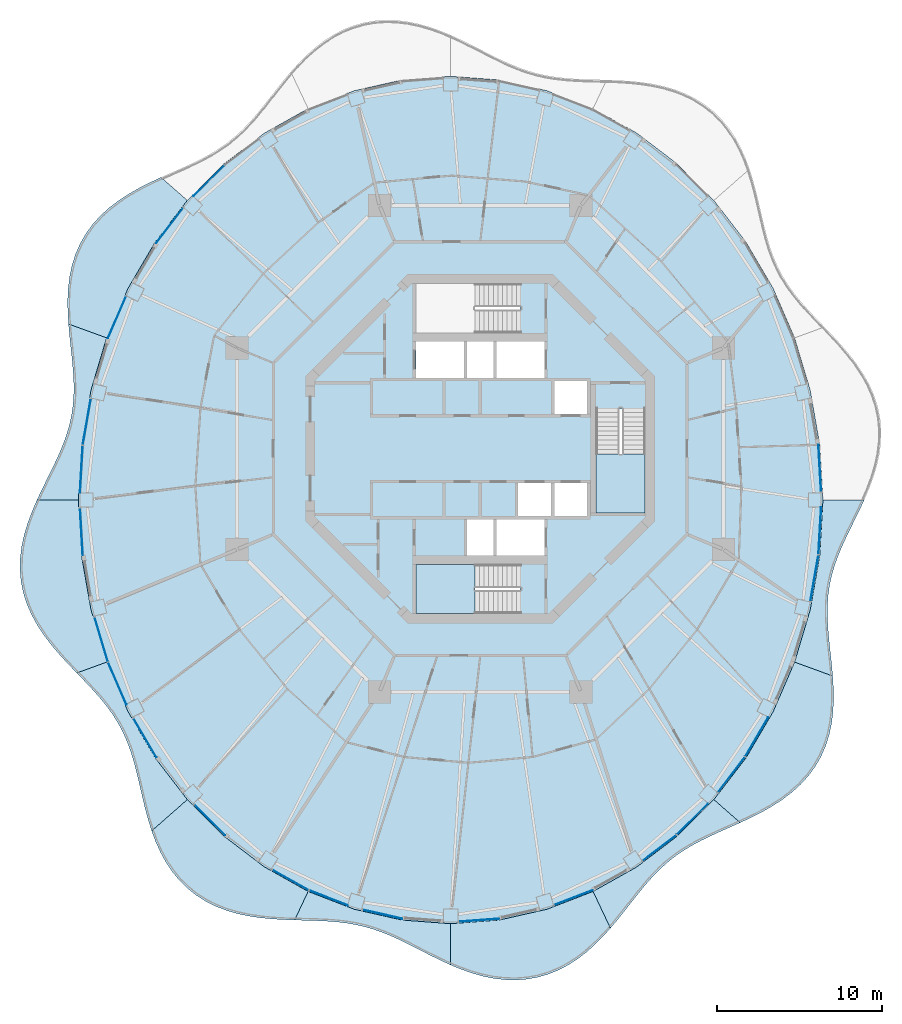
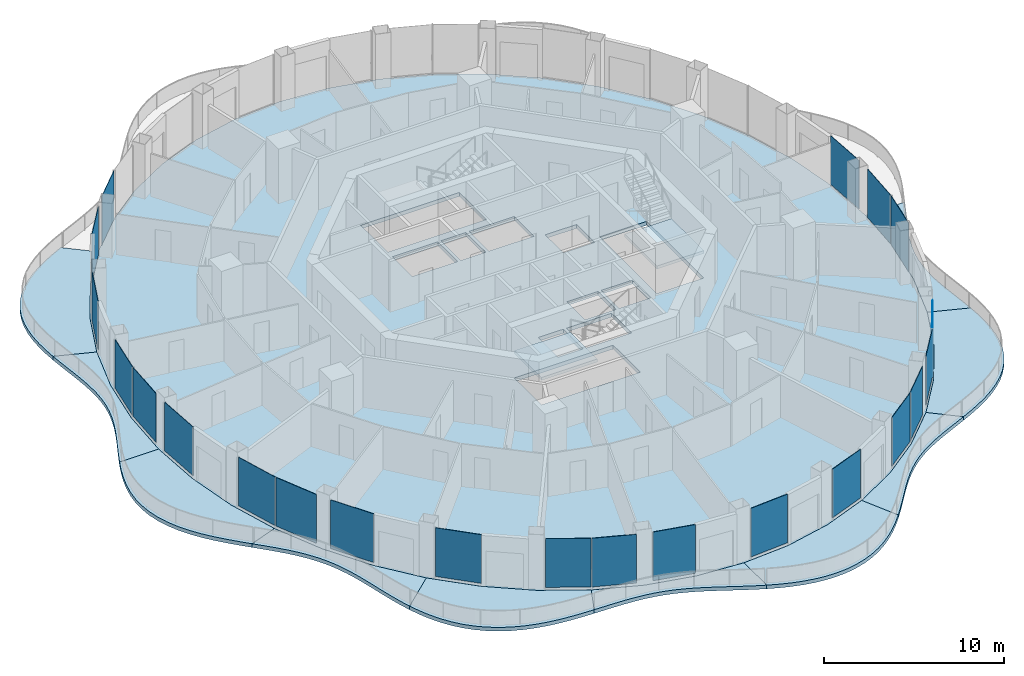
# One storey, part 8 of 17: 22 plates, 13 slabs, 24 elements without a shape of their own.
"""IFC4 building model written with IfcOpenShell, lengths in metres."""

from ifc_helpers import new_model, si_unit, direction, frame, origin, origin_2d, place, context, subcontext, project, spatial, polyline, rectangle, outline, extrude, material, layer, layer_set, type_object, element, aggregate, save


model = new_model("IFC4")

# Units and contexts
model_context = context("Model", 3, precision=1e-05, world=origin(), true_north=direction((0.0, 1.0)))
body_context = subcontext(model_context, "Body", "Model", "MODEL_VIEW")
ifc_project = project(units=[si_unit("LENGTHUNIT", "METRE"), si_unit("AREAUNIT", "SQUARE_METRE"), si_unit("VOLUMEUNIT", "CUBIC_METRE"), si_unit("PLANEANGLEUNIT", "RADIAN"), si_unit("MASSUNIT", "GRAM", prefix="KILO")], contexts=[model_context])

# Site, building, storey
site_placement = place(None, origin())
site = spatial("IfcSite", under=ifc_project, at=site_placement, CompositionType="ELEMENT")
building_placement = place(site_placement, origin())
building = spatial("IfcBuilding", under=site, at=building_placement, Name="Nagisa Residences", CompositionType="ELEMENT")
storey_placement = place(building_placement, frame((0.0, 0.0, 280.699951171875)))
storey = spatial("IfcBuildingStorey", under=building, at=storey_placement, Name="L71", CompositionType="ELEMENT", Elevation=280.699951171875)

# Slabs
ifc_material_1 = material(Name="Concrete C40/50", Category="concrete")
ifc_layer_1 = layer(ifc_material_1, 0.25)
ifc_layer_set_1 = layer_set([ifc_layer_1], Name="BALCONY SLAB 250")
slab_type_1 = type_object("IfcSlabType", Name="BALCONY SLAB 250", PredefinedType="FLOOR", material=ifc_layer_set_1)
slab_1_placement = place(storey_placement, frame((0.0, 0.0, -0.25)))
element("IfcSlab", 1, at=slab_1_placement, inside=storey, type_object=slab_type_1, Name="slab:L71:bal06", PredefinedType="FLOOR", context=body_context, shape_type="SweptSolid", body=[
    extrude(outline(polyline([(-19.388427734375, 16.483642578125), (-20.049560546875, 16.174560546875), (-20.705078125, 15.842041015625), (-21.34423828125, 15.479248046875), (-21.956787109375, 15.080810546875), (-22.532470703125, 14.642578125), (-23.061767578125, 14.162109375), (-23.53662109375, 13.63916015625), (-23.950439453125, 13.07421875), (-24.298828125, 12.47021484375), (-24.57958984375, 11.830810546875), (-24.79296875, 11.1611328125), (-24.941162109375, 10.467041015625), (-25.029541015625, 9.755126953125), (-25.064697265625, 9.031494140625), (-25.0556640625, 8.302978515625), (-25.0126953125, 7.574951171875), (-22.6982421875, 6.732666015625), (-21.389404296875, 9.752197265625), (-19.74560546875, 12.5517578125), (-17.794677734375, 15.083251953125), (-19.388427734375, 16.483642578125)])), origin(), (0.0, 0.0, 1.0), 0.25),
])
slab_2_placement = place(storey_placement, frame((0.0, 0.0, -0.25)))
element("IfcSlab", 2, at=slab_2_placement, inside=storey, type_object=slab_type_1, Name="slab:L71:bal07", PredefinedType="FLOOR", context=body_context, shape_type="SweptSolid", body=[
    extrude(outline(polyline([(-25.0126953125, 7.574951171875), (-24.94482421875, 6.83056640625), (-24.8662109375, 6.096923828125), (-24.7900390625, 5.378173828125), (-24.728515625, 4.676025390625), (-24.69287109375, 3.990966796875), (-24.693115234375, 3.322998046875), (-24.736083984375, 2.669677734375), (-24.82666015625, 2.028564453125), (-24.966796875, 1.39599609375), (-25.15576171875, 0.767578125), (-25.3896484375, 0.1396484375), (-25.66162109375, -0.491943359375), (-25.963134765625, -1.131103515625), (-26.282958984375, -1.78076171875), (-26.608642578125, -2.4423828125), (-26.9267578125, -3.11767578125), (-24.419921875, -3.11767578125), (-24.2265625, 0.241943359375), (-23.649169921875, 3.544189453125), (-22.6982421875, 6.732666015625), (-25.0126953125, 7.574951171875)])), origin(), (0.0, 0.0, 1.0), 0.25),
])
slab_3_placement = place(storey_placement, frame((0.0, 0.0, -0.25)))
element("IfcSlab", 3, at=slab_3_placement, inside=storey, type_object=slab_type_1, Name="slab:L71:bal08", PredefinedType="FLOOR", context=body_context, shape_type="SweptSolid", body=[
    extrude(outline(polyline([(-26.9267578125, -3.11767578125), (-27.2236328125, -3.80615234375), (-27.4853515625, -4.50634765625), (-27.699951171875, -5.21630859375), (-27.856201171875, -5.932373046875), (-27.94482421875, -6.650634765625), (-27.95947265625, -7.36669921875), (-27.896240234375, -8.075927734375), (-27.754150390625, -8.7734375), (-27.53466796875, -9.455078125), (-27.2431640625, -10.11767578125), (-26.886474609375, -10.75830078125), (-26.47412109375, -11.37548828125), (-26.017578125, -11.96923828125), (-25.529296875, -12.54052734375), (-25.0224609375, -13.092041015625), (-24.51025390625, -13.627685546875), (-22.6982421875, -12.968017578125), (-23.649169921875, -9.77978515625), (-24.2265625, -6.4775390625), (-24.419921875, -3.11767578125), (-26.9267578125, -3.11767578125)])), origin(), (0.0, 0.0, 1.0), 0.25),
])
slab_4_placement = place(storey_placement, frame((0.0, 0.0, -0.25)))
element("IfcSlab", 4, at=slab_4_placement, inside=storey, type_object=slab_type_1, Name="slab:L71:bal09", PredefinedType="FLOOR", context=body_context, shape_type="SweptSolid", body=[
    extrude(outline(polyline([(-24.51025390625, -13.627685546875), (-24.020751953125, -14.1357421875), (-23.54833984375, -14.63818359375), (-23.102294921875, -15.140625), (-22.689697265625, -15.64892578125), (-22.315185546875, -16.168212890625), (-21.981689453125, -16.703857421875), (-21.689208984375, -17.26025390625), (-21.43603515625, -17.840087890625), (-21.21728515625, -18.445556640625), (-21.026611328125, -19.076904296875), (-20.856201171875, -19.73291015625), (-20.6962890625, -20.41015625), (-20.537109375, -21.1044921875), (-20.3681640625, -21.8095703125), (-20.1787109375, -22.517822265625), (-19.95947265625, -23.220947265625), (-17.794677734375, -21.318603515625), (-19.74560546875, -18.787109375), (-21.389404296875, -15.98779296875), (-22.6982421875, -12.968017578125), (-24.51025390625, -13.627685546875)])), origin(), (0.0, 0.0, 1.0), 0.25),
])
slab_5_placement = place(storey_placement, frame((0.0, 0.0, -0.25)))
element("IfcSlab", 5, at=slab_5_placement, inside=storey, type_object=slab_type_1, Name="slab:L71:bal10", PredefinedType="FLOOR", context=body_context, shape_type="SweptSolid", body=[
    extrude(outline(polyline([(-19.95947265625, -23.220947265625), (-19.714599609375, -23.877685546875), (-19.4287109375, -24.513671875), (-19.0966796875, -25.1201171875), (-18.7158203125, -25.689697265625), (-18.28466796875, -26.2158203125), (-17.803466796875, -26.692626953125), (-17.274658203125, -27.115478515625), (-16.70166015625, -27.48193359375), (-16.08935546875, -27.791015625), (-15.444091796875, -28.04345703125), (-14.772705078125, -28.2421875), (-14.08251953125, -28.391357421875), (-13.381103515625, -28.49755859375), (-12.67529296875, -28.56787109375), (-11.9716796875, -28.611328125), (-11.27587890625, -28.637451171875), (-10.456298828125, -26.8984375), (-13.110107421875, -25.4091796875), (-15.570068359375, -23.53857421875), (-17.794677734375, -21.318603515625), (-19.95947265625, -23.220947265625)])), origin(), (0.0, 0.0, 1.0), 0.25),
])
slab_6_placement = place(storey_placement, frame((0.0, 0.0, -0.25)))
element("IfcSlab", 6, at=slab_6_placement, inside=storey, type_object=slab_type_1, Name="slab:L71:bal11", PredefinedType="FLOOR", context=body_context, shape_type="SweptSolid", body=[
    extrude(outline(polyline([(-11.27587890625, -28.637451171875), (-10.6171875, -28.65478515625), (-9.97314453125, -28.674072265625), (-9.345458984375, -28.702880859375), (-8.734619140625, -28.749267578125), (-8.139892578125, -28.8193359375), (-7.559814453125, -28.918212890625), (-6.991455078125, -29.049560546875), (-6.431396484375, -29.21484375), (-5.876220703125, -29.413818359375), (-5.321044921875, -29.644775390625), (-4.762451171875, -29.903076171875), (-4.196044921875, -30.18359375), (-3.61865234375, -30.478759765625), (-3.02783203125, -30.7802734375), (-2.421875, -31.078857421875), (-1.800048828125, -31.364501953125), (-1.800048828125, -28.857666015625), (-4.75244140625, -28.637451171875), (-7.654541015625, -27.980712890625), (-10.456298828125, -26.8984375), (-11.27587890625, -28.637451171875)])), origin(), (0.0, 0.0, 1.0), 0.25),
])
slab_7_placement = place(storey_placement, frame((0.0, 0.0, -0.25)))
element("IfcSlab", 7, at=slab_7_placement, inside=storey, type_object=slab_type_1, Name="slab:L71:bal12", PredefinedType="FLOOR", context=body_context, shape_type="SweptSolid", body=[
    extrude(outline(polyline([(-1.800048828125, -31.364501953125), (-1.16259765625, -31.626953125), (-0.511474609375, -31.856689453125), (0.151123046875, -32.044189453125), (0.821533203125, -32.18115234375), (1.495361328125, -32.260986328125), (2.16845703125, -32.278076171875), (2.835205078125, -32.228759765625), (3.49072265625, -32.111572265625), (4.13037109375, -31.927001953125), (4.74951171875, -31.6767578125), (5.3447265625, -31.365478515625), (5.91357421875, -30.998291015625), (6.4541015625, -30.5830078125), (6.966064453125, -30.127197265625), (7.4501953125, -29.640380859375), (7.9091796875, -29.1318359375), (6.856201171875, -26.8984375), (4.054443359375, -27.980712890625), (1.152587890625, -28.637451171875), (-1.800048828125, -28.857666015625), (-1.800048828125, -31.364501953125)])), origin(), (0.0, 0.0, 1.0), 0.25),
])
slab_8_placement = place(storey_placement, frame((0.0, 0.0, -0.25)))
element("IfcSlab", 8, at=slab_8_placement, inside=storey, type_object=slab_type_1, Name="slab:L71:bal13", PredefinedType="FLOOR", context=body_context, shape_type="SweptSolid", body=[
    extrude(outline(polyline([(7.9091796875, -29.1318359375), (8.361572265625, -28.591552734375), (8.794677734375, -28.04833984375), (9.21435546875, -27.51171875), (9.626708984375, -26.990234375), (10.03857421875, -26.49072265625), (10.456298828125, -26.018798828125), (10.88623046875, -25.57763671875), (11.333984375, -25.169189453125), (11.803955078125, -24.79296875), (12.299560546875, -24.44677734375), (12.822265625, -24.12744140625), (13.372314453125, -23.82958984375), (13.947998046875, -23.546875), (14.546142578125, -23.272705078125), (15.16162109375, -22.999267578125), (15.788330078125, -22.718994140625), (14.19482421875, -21.318603515625), (11.97021484375, -23.53857421875), (9.510009765625, -25.4091796875), (6.856201171875, -26.8984375), (7.9091796875, -29.1318359375)])), origin(), (0.0, 0.0, 1.0), 0.25),
])
slab_9_placement = place(storey_placement, frame((0.0, 0.0, -0.25)))
element("IfcSlab", 9, at=slab_9_placement, inside=storey, type_object=slab_type_1, Name="slab:L71:bal14", PredefinedType="FLOOR", context=body_context, shape_type="SweptSolid", body=[
    extrude(outline(polyline([(15.788330078125, -22.718994140625), (16.44970703125, -22.409912109375), (17.10498046875, -22.077392578125), (17.744140625, -21.714599609375), (18.356689453125, -21.316162109375), (18.932373046875, -20.8779296875), (19.461669921875, -20.397705078125), (19.9365234375, -19.87451171875), (20.350341796875, -19.3095703125), (20.69873046875, -18.70556640625), (20.979736328125, -18.066162109375), (21.19287109375, -17.396484375), (21.34130859375, -16.70263671875), (21.429443359375, -15.990478515625), (21.464599609375, -15.266845703125), (21.45556640625, -14.538330078125), (21.41259765625, -13.810546875), (19.09814453125, -12.968017578125), (17.78955078125, -15.98779296875), (16.145751953125, -18.787109375), (14.19482421875, -21.318603515625), (15.788330078125, -22.718994140625)])), origin(), (0.0, 0.0, 1.0), 0.25),
])
slab_10_placement = place(storey_placement, frame((0.0, 0.0, -0.25)))
element("IfcSlab", 10, at=slab_10_placement, inside=storey, type_object=slab_type_1, Name="slab:L71:bal15", PredefinedType="FLOOR", context=body_context, shape_type="SweptSolid", body=[
    extrude(outline(polyline([(21.41259765625, -13.810546875), (21.344970703125, -13.06591796875), (21.266357421875, -12.332275390625), (21.18994140625, -11.613525390625), (21.12841796875, -10.911376953125), (21.093017578125, -10.2265625), (21.093017578125, -9.558349609375), (21.135986328125, -8.905029296875), (21.2265625, -8.263916015625), (21.366943359375, -7.63134765625), (21.555908203125, -7.003173828125), (21.78955078125, -6.375244140625), (22.061767578125, -5.743408203125), (22.36328125, -5.104248046875), (22.68310546875, -4.454833984375), (23.0087890625, -3.79296875), (23.326904296875, -3.11767578125), (20.820068359375, -3.11767578125), (20.62646484375, -6.4775390625), (20.04931640625, -9.77978515625), (19.09814453125, -12.968017578125), (21.41259765625, -13.810546875)])), origin(), (0.0, 0.0, 1.0), 0.25),
])

# Curtain wall, plate
ifc_material_2 = material(Name="Concrete-coloured aluminium curtain wall system", Category="concrete")
ifc_layer_2 = layer(ifc_material_2, 0.159912109375)
ifc_layer_set_2 = layer_set([ifc_layer_2], Name="CW1 CURTAIN WALL")
curtain_wall_type = type_object("IfcCurtainWallType", Name="CW1 CURTAIN WALL", PredefinedType="NOTDEFINED", material=ifc_layer_set_2)
curtain_wall_1_placement = place(storey_placement, origin())
curtain_wall_1 = element("IfcCurtainWall", 11, at=curtain_wall_1_placement, inside=storey, type_object=curtain_wall_type, Name="cw:CW1:L71:00", PredefinedType="NOTDEFINED")
ifc_material_3 = material(Name="Clear laminated glass", Category="glass")
ifc_layer_3 = layer(ifc_material_3, 0.028076171875)
ifc_layer_set_3 = layer_set([ifc_layer_3], Name="CW1 GLASS PANEL")
plate_type = type_object("IfcPlateType", Name="CW1 GLASS PANEL", PredefinedType="CURTAIN_PANEL", material=ifc_layer_set_3)
plate_1_placement = place(storey_placement, frame((20.628662109375, -1.187744140625, 0.150146484375), z_axis=(0.0, 0.0, 1.0), x_axis=(-0.057503492216, 0.998345305184, 0.0)))
plate_1 = element("IfcPlate", 12, at=plate_1_placement, type_object=plate_type, Name="CW1 panel", PredefinedType="CURTAIN_PANEL", context=body_context, shape_type="SweptSolid", body=[
    extrude(rectangle(XDim=2.855224609375, YDim=0.028076171875, at=origin_2d()), origin(), (0.0, 0.0, 1.0), 3.2900390625),
])
aggregate(curtain_wall_1, [plate_1])

curtain_wall_2_placement = place(storey_placement, origin())
curtain_wall_2 = element("IfcCurtainWall", 13, at=curtain_wall_2_placement, inside=storey, type_object=curtain_wall_type, Name="cw:CW1:L71:17", PredefinedType="NOTDEFINED")
plate_2_placement = place(storey_placement, frame((-16.488037109375, 16.2744140625, 0.150146484375), z_axis=(0.0, 0.0, 1.0), x_axis=(-0.707835924016, -0.706376885714, 0.0)))
plate_2 = element("IfcPlate", 14, at=plate_2_placement, type_object=plate_type, Name="CW1 panel", PredefinedType="CURTAIN_PANEL", context=body_context, shape_type="SweptSolid", body=[
    extrude(rectangle(XDim=2.6328125, YDim=0.028076171875, at=origin_2d()), origin(), (0.0, 0.0, 1.0), 3.2900390625),
])
aggregate(curtain_wall_2, [plate_2])

curtain_wall_3_placement = place(storey_placement, origin())
curtain_wall_3 = element("IfcCurtainWall", 15, at=curtain_wall_3_placement, inside=storey, type_object=curtain_wall_type, Name="cw:CW1:L71:18", PredefinedType="NOTDEFINED")
plate_3_placement = place(storey_placement, frame((-18.862548828125, 13.566650390625, 0.150146484375), z_axis=(0.0, 0.0, 1.0), x_axis=(-0.610429828235, -0.792070340816, 0.0)))
plate_3 = element("IfcPlate", 16, at=plate_3_placement, type_object=plate_type, Name="CW1 panel", PredefinedType="CURTAIN_PANEL", context=body_context, shape_type="SweptSolid", body=[
    extrude(rectangle(XDim=2.68603515625, YDim=0.028076171875, at=origin_2d()), origin(), (0.0, 0.0, 1.0), 3.2900390625),
])
aggregate(curtain_wall_3, [plate_3])

curtain_wall_4_placement = place(storey_placement, origin())
curtain_wall_4 = element("IfcCurtainWall", 17, at=curtain_wall_4_placement, inside=storey, type_object=curtain_wall_type, Name="cw:CW1:L71:20", PredefinedType="NOTDEFINED")
plate_4_placement = place(storey_placement, frame((-22.07177734375, 7.9765625, 0.150146484375), z_axis=(0.0, 0.0, 1.0), x_axis=(-0.397635934147, -0.917543276295, 0.0)))
plate_4 = element("IfcPlate", 18, at=plate_4_placement, type_object=plate_type, Name="CW1 panel", PredefinedType="CURTAIN_PANEL", context=body_context, shape_type="SweptSolid", body=[
    extrude(rectangle(XDim=2.781005859375, YDim=0.028076171875, at=origin_2d()), origin(), (0.0, 0.0, 1.0), 3.2900390625),
])
aggregate(curtain_wall_4, [plate_4])

curtain_wall_5_placement = place(storey_placement, origin())
curtain_wall_5 = element("IfcCurtainWall", 19, at=curtain_wall_5_placement, inside=storey, type_object=curtain_wall_type, Name="cw:CW1:L71:22", PredefinedType="NOTDEFINED")
plate_5_placement = place(storey_placement, frame((-23.903076171875, 1.628173828125, 0.150146484375), z_axis=(0.0, 0.0, 1.0), x_axis=(-0.172190868898, -0.985063604377, 0.0)))
plate_5 = element("IfcPlate", 20, at=plate_5_placement, type_object=plate_type, Name="CW1 panel", PredefinedType="CURTAIN_PANEL", context=body_context, shape_type="SweptSolid", body=[
    extrude(rectangle(XDim=2.84228515625, YDim=0.028076171875, at=origin_2d()), origin(), (0.0, 0.0, 1.0), 3.2900390625),
])
aggregate(curtain_wall_5, [plate_5])

curtain_wall_6_placement = place(storey_placement, origin())
curtain_wall_6 = element("IfcCurtainWall", 21, at=curtain_wall_6_placement, inside=storey, type_object=curtain_wall_type, Name="cw:CW1:L71:23", PredefinedType="NOTDEFINED")
plate_6_placement = place(storey_placement, frame((-24.232177734375, -1.247802734375, 0.150146484375), z_axis=(0.0, 0.0, 1.0), x_axis=(-0.057503492216, -0.998345305184, 0.0)))
plate_6 = element("IfcPlate", 22, at=plate_6_placement, type_object=plate_type, Name="CW1 panel", PredefinedType="CURTAIN_PANEL", context=body_context, shape_type="SweptSolid", body=[
    extrude(rectangle(XDim=2.855224609375, YDim=0.028076171875, at=origin_2d()), origin(), (0.0, 0.0, 1.0), 3.2900390625),
])
aggregate(curtain_wall_6, [plate_6])

curtain_wall_7_placement = place(storey_placement, origin())
curtain_wall_7 = element("IfcCurtainWall", 23, at=curtain_wall_7_placement, inside=storey, type_object=curtain_wall_type, Name="cw:CW1:L71:24", PredefinedType="NOTDEFINED")
plate_7_placement = place(storey_placement, frame((-24.228759765625, -5.047607421875, 0.150146484375), z_axis=(0.0, 0.0, 1.0), x_axis=(0.057503492216, -0.998345305184, 0.0)))
plate_7 = element("IfcPlate", 24, at=plate_7_placement, type_object=plate_type, Name="CW1 panel", PredefinedType="CURTAIN_PANEL", context=body_context, shape_type="SweptSolid", body=[
    extrude(rectangle(XDim=2.855224609375, YDim=0.028076171875, at=origin_2d()), origin(), (0.0, 0.0, 1.0), 3.2900390625),
])
aggregate(curtain_wall_7, [plate_7])

curtain_wall_8_placement = place(storey_placement, origin())
curtain_wall_8 = element("IfcCurtainWall", 25, at=curtain_wall_8_placement, inside=storey, type_object=curtain_wall_type, Name="cw:CW1:L71:26", PredefinedType="NOTDEFINED")
plate_8_placement = place(storey_placement, frame((-23.024169921875, -11.59521484375, 0.150146484375), z_axis=(0.0, 0.0, 1.0), x_axis=(0.285860274038, -0.958271310082, 0.0)))
plate_8 = element("IfcPlate", 26, at=plate_8_placement, type_object=plate_type, Name="CW1 panel", PredefinedType="CURTAIN_PANEL", context=body_context, shape_type="SweptSolid", body=[
    extrude(rectangle(XDim=2.817138671875, YDim=0.028076171875, at=origin_2d()), origin(), (0.0, 0.0, 1.0), 3.2900390625),
])
aggregate(curtain_wall_8, [plate_8])

curtain_wall_9_placement = place(storey_placement, origin())
curtain_wall_9 = element("IfcCurtainWall", 27, at=curtain_wall_9_placement, inside=storey, type_object=curtain_wall_type, Name="cw:CW1:L71:27", PredefinedType="NOTDEFINED")
plate_9_placement = place(storey_placement, frame((-22.0478515625, -14.26708984375, 0.150146484375), z_axis=(0.0, 0.0, 1.0), x_axis=(0.397635934147, -0.917543276295, 0.0)))
plate_9 = element("IfcPlate", 28, at=plate_9_placement, type_object=plate_type, Name="CW1 panel", PredefinedType="CURTAIN_PANEL", context=body_context, shape_type="SweptSolid", body=[
    extrude(rectangle(XDim=2.781005859375, YDim=0.028076171875, at=origin_2d()), origin(), (0.0, 0.0, 1.0), 3.2900390625),
])
aggregate(curtain_wall_9, [plate_9])

curtain_wall_10_placement = place(storey_placement, origin())
curtain_wall_10 = element("IfcCurtainWall", 29, at=curtain_wall_10_placement, inside=storey, type_object=curtain_wall_type, Name="cw:CW1:L71:28", PredefinedType="NOTDEFINED")
plate_10_placement = place(storey_placement, frame((-20.369384765625, -17.56689453125, 0.150146484375), z_axis=(0.0, 0.0, 1.0), x_axis=(0.506348567002, -0.862328898214, 0.0)))
plate_10 = element("IfcPlate", 30, at=plate_10_placement, type_object=plate_type, Name="CW1 panel", PredefinedType="CURTAIN_PANEL", context=body_context, shape_type="SweptSolid", body=[
    extrude(rectangle(XDim=2.736572265625, YDim=0.028076171875, at=origin_2d()), origin(), (0.0, 0.0, 1.0), 3.2900390625),
])
aggregate(curtain_wall_10, [plate_10])

curtain_wall_11_placement = place(storey_placement, origin())
curtain_wall_11 = element("IfcCurtainWall", 31, at=curtain_wall_11_placement, inside=storey, type_object=curtain_wall_type, Name="cw:CW1:L71:30", PredefinedType="NOTDEFINED")
plate_11_placement = place(storey_placement, frame((-16.445556640625, -22.552001953125, 0.150146484375), z_axis=(0.0, 0.0, 1.0), x_axis=(0.707835924016, -0.706376885714, 0.0)))
plate_11 = element("IfcPlate", 32, at=plate_11_placement, type_object=plate_type, Name="CW1 panel", PredefinedType="CURTAIN_PANEL", context=body_context, shape_type="SweptSolid", body=[
    extrude(rectangle(XDim=2.6328125, YDim=0.028076171875, at=origin_2d()), origin(), (0.0, 0.0, 1.0), 3.2900390625),
])
aggregate(curtain_wall_11, [plate_11])

curtain_wall_12_placement = place(storey_placement, origin())
curtain_wall_12 = element("IfcCurtainWall", 33, at=curtain_wall_12_placement, inside=storey, type_object=curtain_wall_type, Name="cw:CW1:L71:32", PredefinedType="NOTDEFINED")
plate_12_placement = place(storey_placement, frame((-11.521728515625, -26.208740234375, 0.150146484375), z_axis=(0.0, 0.0, 1.0), x_axis=(0.872072377523, -0.489376918501, 0.0)))
plate_12 = element("IfcPlate", 34, at=plate_12_placement, type_object=plate_type, Name="CW1 panel", PredefinedType="CURTAIN_PANEL", context=body_context, shape_type="SweptSolid", body=[
    extrude(rectangle(XDim=2.532958984375, YDim=0.028076171875, at=origin_2d()), origin(), (0.0, 0.0, 1.0), 3.2900390625),
])
aggregate(curtain_wall_12, [plate_12])

curtain_wall_13_placement = place(storey_placement, origin())
curtain_wall_13 = element("IfcCurtainWall", 35, at=curtain_wall_13_placement, inside=storey, type_object=curtain_wall_type, Name="cw:CW1:L71:33", PredefinedType="NOTDEFINED")
plate_13_placement = place(storey_placement, frame((-9.20849609375, -27.294677734375, 0.150146484375), z_axis=(0.0, 0.0, 1.0), x_axis=(0.932825759707, -0.360327770268, 0.0)))
plate_13 = element("IfcPlate", 36, at=plate_13_placement, type_object=plate_type, Name="CW1 panel", PredefinedType="CURTAIN_PANEL", context=body_context, shape_type="SweptSolid", body=[
    extrude(rectangle(XDim=2.49365234375, YDim=0.028076171875, at=origin_2d()), origin(), (0.0, 0.0, 1.0), 3.2900390625),
])
aggregate(curtain_wall_13, [plate_13])

curtain_wall_14_placement = place(storey_placement, origin())
curtain_wall_14 = element("IfcCurtainWall", 37, at=curtain_wall_14_placement, inside=storey, type_object=curtain_wall_type, Name="cw:CW1:L71:34", PredefinedType="NOTDEFINED")
plate_14_placement = place(storey_placement, frame((-5.93701171875, -28.287353515625, 0.150146484375), z_axis=(0.0, 0.0, 1.0), x_axis=(0.975327274089, -0.2207639201, 0.0)))
plate_14 = element("IfcPlate", 38, at=plate_14_placement, type_object=plate_type, Name="CW1 panel", PredefinedType="CURTAIN_PANEL", context=body_context, shape_type="SweptSolid", body=[
    extrude(rectangle(XDim=2.46533203125, YDim=0.028076171875, at=origin_2d()), origin(), (0.0, 0.0, 1.0), 3.2900390625),
])
aggregate(curtain_wall_14, [plate_14])

curtain_wall_15_placement = place(storey_placement, origin())
curtain_wall_15 = element("IfcCurtainWall", 39, at=curtain_wall_15_placement, inside=storey, type_object=curtain_wall_type, Name="cw:CW1:L71:36", PredefinedType="NOTDEFINED")
plate_15_placement = place(storey_placement, frame((-0.075439453125, -28.64892578125, 0.150146484375), z_axis=(0.0, 0.0, 1.0), x_axis=(0.997230168512, 0.074377355493, 0.0)))
plate_15 = element("IfcPlate", 40, at=plate_15_placement, type_object=plate_type, Name="CW1 panel", PredefinedType="CURTAIN_PANEL", context=body_context, shape_type="SweptSolid", body=[
    extrude(rectangle(XDim=2.45068359375, YDim=0.028076171875, at=origin_2d()), origin(), (0.0, 0.0, 1.0), 3.2900390625),
])
aggregate(curtain_wall_15, [plate_15])

curtain_wall_16_placement = place(storey_placement, origin())
curtain_wall_16 = element("IfcCurtainWall", 41, at=curtain_wall_16_placement, inside=storey, type_object=curtain_wall_type, Name="cw:CW1:L71:38", PredefinedType="NOTDEFINED")
plate_16_placement = place(storey_placement, frame((5.66455078125, -27.27294921875, 0.150146484375), z_axis=(0.0, 0.0, 1.0), x_axis=(0.932825759707, 0.360327770268, 0.0)))
plate_16 = element("IfcPlate", 42, at=plate_16_placement, type_object=plate_type, Name="CW1 panel", PredefinedType="CURTAIN_PANEL", context=body_context, shape_type="SweptSolid", body=[
    extrude(rectangle(XDim=2.49365234375, YDim=0.028076171875, at=origin_2d()), origin(), (0.0, 0.0, 1.0), 3.2900390625),
])
aggregate(curtain_wall_16, [plate_16])

curtain_wall_17_placement = place(storey_placement, origin())
curtain_wall_17 = element("IfcCurtainWall", 43, at=curtain_wall_17_placement, inside=storey, type_object=curtain_wall_type, Name="cw:CW1:L71:40", PredefinedType="NOTDEFINED")
plate_17_placement = place(storey_placement, frame((10.894775390625, -24.255859375, 0.150146484375), z_axis=(0.0, 0.0, 1.0), x_axis=(0.79603132756, 0.605255421737, 0.0)))
plate_17 = element("IfcPlate", 44, at=plate_17_placement, type_object=plate_type, Name="CW1 panel", PredefinedType="CURTAIN_PANEL", context=body_context, shape_type="SweptSolid", body=[
    extrude(rectangle(XDim=2.58056640625, YDim=0.028076171875, at=origin_2d()), origin(), (0.0, 0.0, 1.0), 3.2900390625),
])
aggregate(curtain_wall_17, [plate_17])

curtain_wall_18_placement = place(storey_placement, origin())
curtain_wall_18 = element("IfcCurtainWall", 45, at=curtain_wall_18_placement, inside=storey, type_object=curtain_wall_type, Name="cw:CW1:L71:41", PredefinedType="NOTDEFINED")
plate_18_placement = place(storey_placement, frame((12.887939453125, -22.509765625, 0.150146484375), z_axis=(0.0, 0.0, 1.0), x_axis=(0.707835924016, 0.706376885714, 0.0)))
plate_18 = element("IfcPlate", 46, at=plate_18_placement, type_object=plate_type, Name="CW1 panel", PredefinedType="CURTAIN_PANEL", context=body_context, shape_type="SweptSolid", body=[
    extrude(rectangle(XDim=2.6328125, YDim=0.028076171875, at=origin_2d()), origin(), (0.0, 0.0, 1.0), 3.2900390625),
])
aggregate(curtain_wall_18, [plate_18])

curtain_wall_19_placement = place(storey_placement, origin())
curtain_wall_19 = element("IfcCurtainWall", 47, at=curtain_wall_19_placement, inside=storey, type_object=curtain_wall_type, Name="cw:CW1:L71:42", PredefinedType="NOTDEFINED")
plate_19_placement = place(storey_placement, frame((15.262451171875, -19.802001953125, 0.150146484375), z_axis=(0.0, 0.0, 1.0), x_axis=(0.610429828235, 0.792070340816, 0.0)))
plate_19 = element("IfcPlate", 48, at=plate_19_placement, type_object=plate_type, Name="CW1 panel", PredefinedType="CURTAIN_PANEL", context=body_context, shape_type="SweptSolid", body=[
    extrude(rectangle(XDim=2.68603515625, YDim=0.028076171875, at=origin_2d()), origin(), (0.0, 0.0, 1.0), 3.2900390625),
])
aggregate(curtain_wall_19, [plate_19])

curtain_wall_20_placement = place(storey_placement, origin())
curtain_wall_20 = element("IfcCurtainWall", 49, at=curtain_wall_20_placement, inside=storey, type_object=curtain_wall_type, Name="cw:CW1:L71:43", PredefinedType="NOTDEFINED")
plate_20_placement = place(storey_placement, frame((16.7998046875, -17.51513671875, 0.150146484375), z_axis=(0.0, 0.0, 1.0), x_axis=(0.506348567002, 0.862328898214, 0.0)))
plate_20 = element("IfcPlate", 50, at=plate_20_placement, type_object=plate_type, Name="CW1 panel", PredefinedType="CURTAIN_PANEL", context=body_context, shape_type="SweptSolid", body=[
    extrude(rectangle(XDim=2.736572265625, YDim=0.028076171875, at=origin_2d()), origin(), (0.0, 0.0, 1.0), 3.2900390625),
])
aggregate(curtain_wall_20, [plate_20])

curtain_wall_21_placement = place(storey_placement, origin())
curtain_wall_21 = element("IfcCurtainWall", 51, at=curtain_wall_21_placement, inside=storey, type_object=curtain_wall_type, Name="cw:CW1:L71:46", PredefinedType="NOTDEFINED")
plate_21_placement = place(storey_placement, frame((20.302978515625, -7.863525390625, 0.150146484375), z_axis=(0.0, 0.0, 1.0), x_axis=(0.172190868898, 0.985063604377, 0.0)))
plate_21 = element("IfcPlate", 52, at=plate_21_placement, type_object=plate_type, Name="CW1 panel", PredefinedType="CURTAIN_PANEL", context=body_context, shape_type="SweptSolid", body=[
    extrude(rectangle(XDim=2.84228515625, YDim=0.028076171875, at=origin_2d()), origin(), (0.0, 0.0, 1.0), 3.2900390625),
])
aggregate(curtain_wall_21, [plate_21])

curtain_wall_22_placement = place(storey_placement, origin())
curtain_wall_22 = element("IfcCurtainWall", 53, at=curtain_wall_22_placement, inside=storey, type_object=curtain_wall_type, Name="cw:CW1:L71:47", PredefinedType="NOTDEFINED")
plate_22_placement = place(storey_placement, frame((20.632080078125, -4.987548828125, 0.150146484375), z_axis=(0.0, 0.0, 1.0), x_axis=(0.057503492216, 0.998345305184, 0.0)))
plate_22 = element("IfcPlate", 54, at=plate_22_placement, type_object=plate_type, Name="CW1 panel", PredefinedType="CURTAIN_PANEL", context=body_context, shape_type="SweptSolid", body=[
    extrude(rectangle(XDim=2.855224609375, YDim=0.028076171875, at=origin_2d()), origin(), (0.0, 0.0, 1.0), 3.2900390625),
])
aggregate(curtain_wall_22, [plate_22])

# Slab
ifc_material_4 = material(Name="Concrete C40", Category="concrete")
ifc_layer_4 = layer(ifc_material_4, 0.260009765625)
ifc_layer_set_4 = layer_set([ifc_layer_4], Name="Floor slab 260")
slab_type_2 = type_object("IfcSlabType", Name="Floor slab 260", PredefinedType="FLOOR", material=ifc_layer_set_4)
slab_11_placement = place(storey_placement, frame((0.0, 0.0, -0.260009765625)))
element("IfcSlab", 55, at=slab_11_placement, inside=storey, type_object=slab_type_2, Name="slab:L71:floor", PredefinedType="FLOOR", context=body_context, shape_type="SweptSolid", body=[
    extrude(outline(polyline([(20.820068359375, -3.11767578125), (20.62646484375, 0.241943359375), (20.04931640625, 3.544189453125), (19.09814453125, 6.732666015625), (17.78955078125, 9.752197265625), (16.145751953125, 12.5517578125), (14.19482421875, 15.083251953125), (11.97021484375, 17.30322265625), (9.510009765625, 19.173828125), (6.856201171875, 20.6630859375), (4.054443359375, 21.745361328125), (1.152587890625, 22.402099609375), (-1.800048828125, 22.622314453125), (-4.75244140625, 22.402099609375), (-7.654541015625, 21.745361328125), (-10.456298828125, 20.6630859375), (-13.110107421875, 19.173828125), (-15.570068359375, 17.30322265625), (-17.794677734375, 15.083251953125), (-19.74560546875, 12.5517578125), (-21.389404296875, 9.752197265625), (-22.6982421875, 6.732666015625), (-23.649169921875, 3.544189453125), (-24.2265625, 0.241943359375), (-24.419921875, -3.11767578125), (-24.2265625, -6.4775390625), (-23.649169921875, -9.77978515625), (-22.6982421875, -12.968017578125), (-21.389404296875, -15.98779296875), (-19.74560546875, -18.787109375), (-17.794677734375, -21.318603515625), (-15.570068359375, -23.53857421875), (-13.110107421875, -25.4091796875), (-10.456298828125, -26.8984375), (-7.654541015625, -27.980712890625), (-4.75244140625, -28.637451171875), (-1.800048828125, -28.857666015625), (1.152587890625, -28.637451171875), (4.054443359375, -27.980712890625), (6.856201171875, -26.8984375), (9.510009765625, -25.4091796875), (11.97021484375, -23.53857421875), (14.19482421875, -21.318603515625), (16.145751953125, -18.787109375), (17.78955078125, -15.98779296875), (19.09814453125, -12.968017578125), (20.04931640625, -9.77978515625), (20.62646484375, -6.4775390625), (20.820068359375, -3.11767578125)]), holes=[polyline([(6.5, 2.10009765625), (6.5, 4.10009765625), (4.5, 4.10009765625), (4.5, 2.10009765625), (6.5, 2.10009765625)]), polyline([(4.300048828125, -4.10009765625), (4.300048828125, -2.10009765625), (2.300048828125, -2.10009765625), (2.300048828125, -4.10009765625), (4.300048828125, -4.10009765625)]), polyline([(6.5, -4.10009765625), (6.5, -2.10009765625), (4.5, -2.10009765625), (4.5, -4.10009765625), (6.5, -4.10009765625)]), polyline([(3.89990234375, 4.300048828125), (3.89990234375, 6.5), (1.0, 6.5), (1.0, 4.300048828125), (3.89990234375, 4.300048828125)]), polyline([(3.89990234375, -6.5), (3.89990234375, -4.300048828125), (1.0, -4.300048828125), (1.0, -6.5), (3.89990234375, -6.5)]), polyline([(-1.0, 4.300048828125), (-1.0, 6.5), (-3.89990234375, 6.5), (-3.89990234375, 4.300048828125), (-1.0, 4.300048828125)]), polyline([(0.800048828125, 4.300048828125), (0.800048828125, 6.5), (-0.800048828125, 6.5), (-0.800048828125, 4.300048828125), (0.800048828125, 4.300048828125)]), polyline([(0.800048828125, -6.5), (0.800048828125, -4.300048828125), (-0.800048828125, -4.300048828125), (-0.800048828125, -6.5), (0.800048828125, -6.5)]), polyline([(10.024658203125, -3.89990234375), (7.024658203125, -3.89990234375), (7.024658203125, 2.425048828125), (10.024658203125, 2.425048828125), (10.024658203125, -3.89990234375)]), polyline([(-3.89990234375, 7.024658203125), (-3.89990234375, 10.024658203125), (2.425048828125, 10.024658203125), (2.425048828125, 7.024658203125), (-3.89990234375, 7.024658203125)]), polyline([(-3.89990234375, -10.024658203125), (-3.89990234375, -7.024658203125), (2.425048828125, -7.024658203125), (2.425048828125, -10.024658203125), (-3.89990234375, -10.024658203125)])]), origin(), (0.0, 0.0, 1.0), 0.260009765625),
])

# Stair, slab
ifc_material_5 = material(Name="Concrete C60", Category="concrete")
stair_type = type_object("IfcStairType", Name="Exit stair", PredefinedType="HALF_TURN_STAIR", material=ifc_material_5)
stair_1_placement = place(storey_placement, origin())
stair_1 = element("IfcStair", 56, at=stair_1_placement, inside=storey, type_object=stair_type, Name="L71 Exit stair E", PredefinedType="HALF_TURN_STAIR")
ifc_material_6 = material(Name="Concrete C60", Category="concrete")
ifc_layer_5 = layer(ifc_material_6, 0.199951171875)
ifc_layer_set_5 = layer_set([ifc_layer_5], Name="Stair landing")
slab_type_3 = type_object("IfcSlabType", Name="Stair landing", PredefinedType="LANDING", material=ifc_layer_set_5)
slab_12_placement = place(storey_placement, frame((0.0, 0.0, 1.650146484375)))
slab_12 = element("IfcSlab", 57, at=slab_12_placement, type_object=slab_type_3, Name="ST-E landing 1", PredefinedType="LANDING", context=body_context, shape_type="SweptSolid", body=[
    extrude(outline(polyline([(7.024658203125, -0.324951171875), (7.024658203125, -3.89990234375), (10.024658203125, -3.89990234375), (10.024658203125, -0.324951171875), (7.024658203125, -0.324951171875)])), origin(), (0.0, 0.0, 1.0), 0.199951171875),
])
aggregate(stair_1, [slab_12])

stair_2_placement = place(storey_placement, origin())
stair_2 = element("IfcStair", 58, at=stair_2_placement, inside=storey, type_object=stair_type, Name="L71 Exit stair S", PredefinedType="HALF_TURN_STAIR")
slab_13_placement = place(storey_placement, frame((0.0, 0.0, 1.650146484375)))
slab_13 = element("IfcSlab", 59, at=slab_13_placement, type_object=slab_type_3, Name="ST-S landing 1", PredefinedType="LANDING", context=body_context, shape_type="SweptSolid", body=[
    extrude(outline(polyline([(-0.324951171875, -7.024658203125), (-3.89990234375, -7.024658203125), (-3.89990234375, -10.024658203125), (-0.324951171875, -10.024658203125), (-0.324951171875, -7.024658203125)])), origin(), (0.0, 0.0, 1.0), 0.199951171875),
])
aggregate(stair_2, [slab_13])

save(model, "model.ifc")
